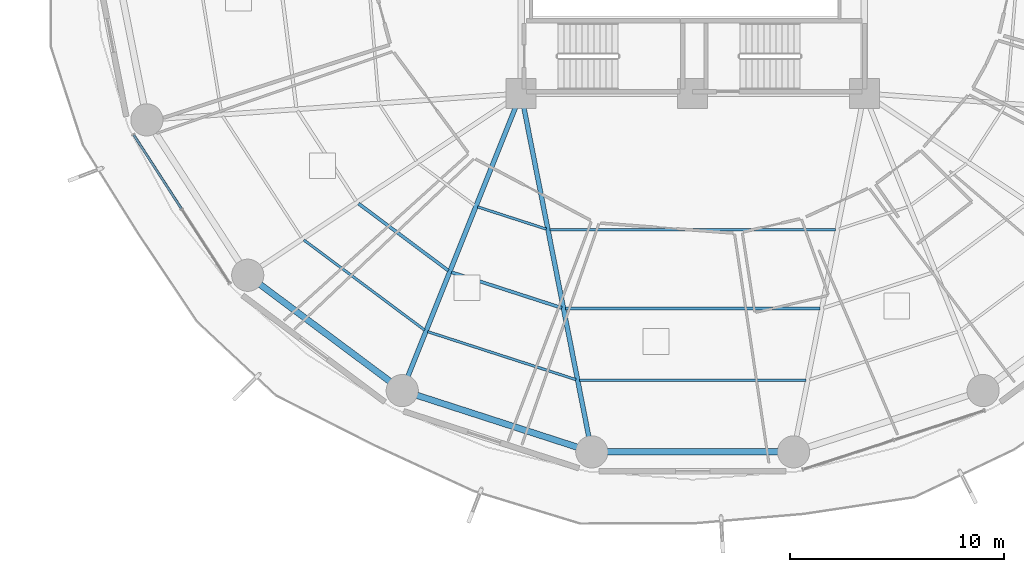
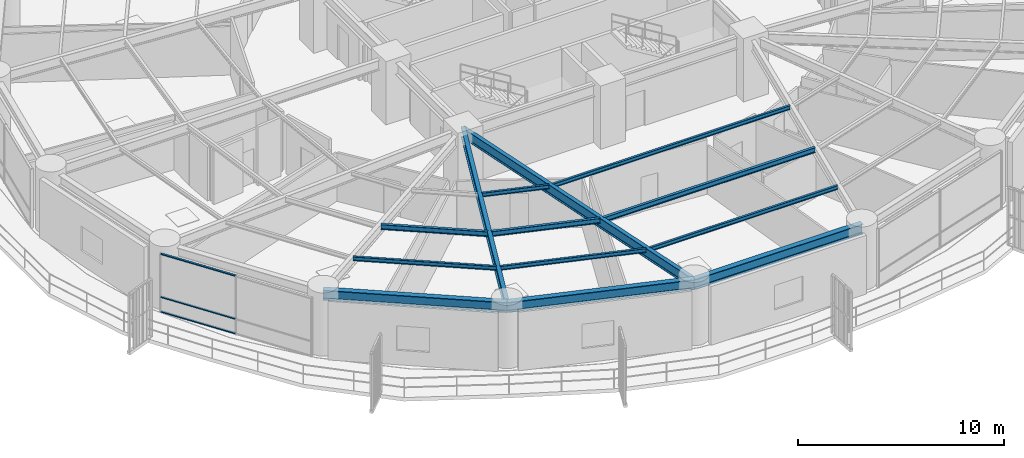
# One storey, part 3 of 32: 13 beams, 3 members, 1 element without a shape of its own.
"""IFC4 building model written with IfcOpenShell, lengths in metres."""

from ifc_helpers import new_model, si_unit, direction, frame, origin, origin_2d, place, context, subcontext, project, spatial, hollow_rectangle, i_section, extrude, material, layer, layer_set, material_profile, profile_set, type_object, element, aggregate, save


model = new_model("IFC4")

# Units and contexts
model_context = context("Model", 3, precision=1e-05, world=origin(), true_north=direction((0.0, 1.0)))
body_context = subcontext(model_context, "Body", "Model", "MODEL_VIEW")
ifc_project = project(units=[si_unit("LENGTHUNIT", "METRE"), si_unit("AREAUNIT", "SQUARE_METRE"), si_unit("VOLUMEUNIT", "CUBIC_METRE"), si_unit("PLANEANGLEUNIT", "RADIAN"), si_unit("MASSUNIT", "GRAM", prefix="KILO")], contexts=[model_context])

# Site, building, storey
site_placement = place(None, origin())
site = spatial("IfcSite", under=ifc_project, at=site_placement, CompositionType="ELEMENT")
building_placement = place(site_placement, origin())
building = spatial("IfcBuilding", under=site, at=building_placement, Name="Kelanora Arch Commons", CompositionType="ELEMENT")
storey_placement = place(building_placement, frame((0.0, 0.0, 60.0)))
storey = spatial("IfcBuildingStorey", under=building, at=storey_placement, Name="L15", CompositionType="ELEMENT", Elevation=60.0)

# Beams
ifc_material_1 = material(Name="Steel S355", Category="steel")
ifc_material_profile_1 = material_profile(ifc_material_1, i_section(OverallWidth=0.14990234375, OverallDepth=0.300048828125, WebThickness=0.007080078125, FlangeThickness=0.0107421875, FilletRadius=0.014892578125, at=origin_2d()), Name="IPE300")
ifc_profile_set_1 = profile_set([ifc_material_profile_1], Name="Steel S355")
beam_type_1 = type_object("IfcBeamType", Name="BM-JST-01", PredefinedType="JOIST", material=ifc_profile_set_1)
beam_1_placement = place(storey_placement, frame((58.42138671875, 45.8623046875, 3.340087890625), z_axis=(0.801478251559, -0.598023922831, 0.0), x_axis=(0.598023922831, 0.801478251559, 0.0)))
element("IfcBeam", 1, at=beam_1_placement, inside=storey, type_object=beam_type_1, Name="Secondary Chord Joist BJB-22 L15", PredefinedType="JOIST", context=body_context, shape_type="SweptSolid", body=[
    extrude(i_section(OverallWidth=0.14990234375, OverallDepth=0.300048828125, WebThickness=0.007080078125, FlangeThickness=0.0107421875, FilletRadius=0.014892578125, at=origin_2d()), origin(), (0.0, 0.0, 1.0), 5.223388671875),
])
beam_2_placement = place(storey_placement, frame((62.7568359375, 42.66162109375, 3.340087890625), z_axis=(0.951412209627, -0.307920131482, 0.0), x_axis=(0.307920131482, 0.951412209627, 0.0)))
element("IfcBeam", 2, at=beam_2_placement, inside=storey, type_object=beam_type_1, Name="Secondary Chord Joist BJB-24 L15", PredefinedType="JOIST", context=body_context, shape_type="SweptSolid", body=[
    extrude(i_section(OverallWidth=0.14990234375, OverallDepth=0.300048828125, WebThickness=0.007080078125, FlangeThickness=0.0107421875, FilletRadius=0.014892578125, at=origin_2d()), origin(), (0.0, 0.0, 1.0), 5.4033203125),
])
beam_3_placement = place(storey_placement, frame((68.063720703125, 40.971435546875, 3.340087890625), z_axis=(1.0, 0.0, 0.0), x_axis=(0.0, 1.0, 0.0)))
element("IfcBeam", 3, at=beam_3_placement, inside=storey, type_object=beam_type_1, Name="Secondary Chord Joist BJB-26 L15", PredefinedType="JOIST", context=body_context, shape_type="SweptSolid", body=[
    extrude(i_section(OverallWidth=0.14990234375, OverallDepth=0.300048828125, WebThickness=0.007080078125, FlangeThickness=0.0107421875, FilletRadius=0.014892578125, at=origin_2d()), origin(), (0.0, 0.0, 1.0), 11.87255859375),
])
ifc_material_profile_2 = material_profile(ifc_material_1, i_section(OverallWidth=0.1201171875, OverallDepth=0.239990234375, WebThickness=0.006103515625, FlangeThickness=0.009765625, FilletRadius=0.014892578125, at=origin_2d()), Name="IPE240")
ifc_profile_set_2 = profile_set([ifc_material_profile_2], Name="Steel S355")
beam_type_2 = type_object("IfcBeamType", Name="BM-JST-02", PredefinedType="JOIST", material=ifc_profile_set_2)
beam_4_placement = place(storey_placement, frame((55.87255859375, 44.16650390625, 3.3701171875), z_axis=(0.80149131963, -0.598006408459, 0.0), x_axis=(0.598006408459, 0.80149131963, 0.0)))
element("IfcBeam", 4, at=beam_4_placement, inside=storey, type_object=beam_type_2, Name="Secondary Chord Joist BJC-22 L15", PredefinedType="JOIST", context=body_context, shape_type="SweptSolid", body=[
    extrude(i_section(OverallWidth=0.1201171875, OverallDepth=0.239990234375, WebThickness=0.006103515625, FlangeThickness=0.009765625, FilletRadius=0.014892578125, at=origin_2d()), origin(), (0.0, 0.0, 1.0), 7.021240234375),
])
beam_5_placement = place(storey_placement, frame((63.9755859375, 45.709228515625, 3.3701171875), z_axis=(0.951422608074, -0.30788800049, 0.0), x_axis=(0.30788800049, 0.951422608074, 0.0)))
element("IfcBeam", 5, at=beam_5_placement, inside=storey, type_object=beam_type_2, Name="Secondary Chord Joist BJA-24 L15", PredefinedType="JOIST", context=body_context, shape_type="SweptSolid", body=[
    extrude(i_section(OverallWidth=0.1201171875, OverallDepth=0.239990234375, WebThickness=0.006103515625, FlangeThickness=0.009765625, FilletRadius=0.014892578125, at=origin_2d()), origin(), (0.0, 0.0, 1.0), 3.359619140625),
])
beam_6_placement = place(storey_placement, frame((61.64892578125, 39.890625, 3.3701171875), z_axis=(0.951410915705, -0.307924129418, 0.0), x_axis=(0.307924129418, 0.951410915705, 0.0)))
element("IfcBeam", 6, at=beam_6_placement, inside=storey, type_object=beam_type_2, Name="Secondary Chord Joist BJC-24 L15", PredefinedType="JOIST", context=body_context, shape_type="SweptSolid", body=[
    extrude(i_section(OverallWidth=0.1201171875, OverallDepth=0.239990234375, WebThickness=0.006103515625, FlangeThickness=0.009765625, FilletRadius=0.014892578125, at=origin_2d()), origin(), (0.0, 0.0, 1.0), 7.260986328125),
])
beam_7_placement = place(storey_placement, frame((67.338134765625, 44.648681640625, 3.3701171875), z_axis=(1.0, 0.0, 0.0), x_axis=(0.0, 1.0, 0.0)))
element("IfcBeam", 7, at=beam_7_placement, inside=storey, type_object=beam_type_2, Name="Secondary Chord Joist BJA-26 L15", PredefinedType="JOIST", context=body_context, shape_type="SweptSolid", body=[
    extrude(i_section(OverallWidth=0.1201171875, OverallDepth=0.239990234375, WebThickness=0.006103515625, FlangeThickness=0.009765625, FilletRadius=0.014892578125, at=origin_2d()), origin(), (0.0, 0.0, 1.0), 13.32373046875),
])
beam_8_placement = place(storey_placement, frame((68.72314453125, 37.628662109375, 3.3701171875), z_axis=(1.0, 0.0, 0.0), x_axis=(0.0, 1.0, 0.0)))
element("IfcBeam", 8, at=beam_8_placement, inside=storey, type_object=beam_type_2, Name="Secondary Chord Joist BJC-26 L15", PredefinedType="JOIST", context=body_context, shape_type="SweptSolid", body=[
    extrude(i_section(OverallWidth=0.1201171875, OverallDepth=0.239990234375, WebThickness=0.006103515625, FlangeThickness=0.009765625, FilletRadius=0.014892578125, at=origin_2d()), origin(), (0.0, 0.0, 1.0), 10.5537109375),
])
ifc_material_profile_3 = material_profile(ifc_material_1, i_section(OverallWidth=0.219970703125, OverallDepth=0.60009765625, WebThickness=0.011962890625, FlangeThickness=0.01904296875, FilletRadius=0.02392578125, at=origin_2d()), Name="IPE600")
ifc_profile_set_3 = profile_set([ifc_material_profile_3], Name="Steel S355")
beam_type_3 = type_object("IfcBeamType", Name="BM-RAD-Z1", PredefinedType="BEAM", material=ifc_profile_set_3)
beam_9_placement = place(storey_placement, frame((66.0, 51.0, 3.18994140625), z_axis=(-0.371300398117, -0.928512797089, 0.0), x_axis=(0.928512797089, -0.371300398117, 0.0)))
element("IfcBeam", 9, at=beam_9_placement, inside=storey, type_object=beam_type_3, Name="Radial Floor Girder BR-24 L15", PredefinedType="BEAM", context=body_context, shape_type="SweptSolid", body=[
    extrude(i_section(OverallWidth=0.219970703125, OverallDepth=0.60009765625, WebThickness=0.011962890625, FlangeThickness=0.01904296875, FilletRadius=0.02392578125, at=origin_2d()), origin(), (0.0, 0.0, 1.0), 14.920654296875),
])
beam_10_placement = place(storey_placement, frame((66.0, 51.0, 3.18994140625), z_axis=(0.19356352044, -0.981087745084, 0.0), x_axis=(0.981087745084, 0.19356352044, 0.0)))
element("IfcBeam", 10, at=beam_10_placement, inside=storey, type_object=beam_type_3, Name="Radial Floor Girder BR-26 L15", PredefinedType="BEAM", context=body_context, shape_type="SweptSolid", body=[
    extrude(i_section(OverallWidth=0.219970703125, OverallDepth=0.60009765625, WebThickness=0.011962890625, FlangeThickness=0.01904296875, FilletRadius=0.02392578125, at=origin_2d()), origin(), (0.0, 0.0, 1.0), 17.036376953125),
])
ifc_material_profile_4 = material_profile(ifc_material_1, i_section(OverallWidth=0.300048828125, OverallDepth=0.60009765625, WebThickness=0.015380859375, FlangeThickness=0.030029296875, FilletRadius=0.027099609375, at=origin_2d()), Name="HEB600")
ifc_profile_set_4 = profile_set([ifc_material_profile_4], Name="Steel S355")
beam_type_4 = type_object("IfcBeamType", Name="BM-SPN-Z1", PredefinedType="SPANDREL", material=ifc_profile_set_4)
beam_11_placement = place(storey_placement, frame((53.255615234375, 42.521728515625, 3.18994140625), z_axis=(0.801467504127, -0.598038326388, 0.0), x_axis=(0.598038326388, 0.801467504127, 0.0)))
element("IfcBeam", 11, at=beam_11_placement, inside=storey, type_object=beam_type_4, Name="Perimeter Spandrel Beam BS-22 L15", PredefinedType="SPANDREL", context=body_context, shape_type="SweptSolid", body=[
    extrude(i_section(OverallWidth=0.300048828125, OverallDepth=0.60009765625, WebThickness=0.015380859375, FlangeThickness=0.030029296875, FilletRadius=0.027099609375, at=origin_2d()), origin(), (0.0, 0.0, 1.0), 8.989013671875),
])
beam_12_placement = place(storey_placement, frame((60.4599609375, 37.14599609375, 3.18994140625), z_axis=(0.951417120402, -0.307904957748, 0.0), x_axis=(0.307904957748, 0.951417120402, 0.0)))
element("IfcBeam", 12, at=beam_12_placement, inside=storey, type_object=beam_type_4, Name="Perimeter Spandrel Beam BS-24 L15", PredefinedType="SPANDREL", context=body_context, shape_type="SweptSolid", body=[
    extrude(i_section(OverallWidth=0.300048828125, OverallDepth=0.60009765625, WebThickness=0.015380859375, FlangeThickness=0.030029296875, FilletRadius=0.027099609375, at=origin_2d()), origin(), (0.0, 0.0, 1.0), 9.288818359375),
])
beam_13_placement = place(storey_placement, frame((69.297607421875, 34.285888671875, 3.18994140625), z_axis=(1.0, 0.0, 0.0), x_axis=(0.0, 1.0, 0.0)))
element("IfcBeam", 13, at=beam_13_placement, inside=storey, type_object=beam_type_4, Name="Perimeter Spandrel Beam BS-26 L15", PredefinedType="SPANDREL", context=body_context, shape_type="SweptSolid", body=[
    extrude(i_section(OverallWidth=0.300048828125, OverallDepth=0.60009765625, WebThickness=0.015380859375, FlangeThickness=0.030029296875, FilletRadius=0.027099609375, at=origin_2d()), origin(), (0.0, 0.0, 1.0), 9.40478515625),
])

# Curtain wall, members
ifc_material_2 = material(Name="Terracotta ceramic-fritted low-E glass and aluminium", Category="masonry")
ifc_layer = layer(ifc_material_2, 0.159912109375)
ifc_layer_set = layer_set([ifc_layer], Name="Terracotta ceramic-fritted low-E glass and aluminium")
curtain_wall_type = type_object("IfcCurtainWallType", Name="CW-SYS-01", PredefinedType="NOTDEFINED", material=ifc_layer_set)
curtain_wall_placement = place(storey_placement, origin())
curtain_wall = element("IfcCurtainWall", 14, at=curtain_wall_placement, inside=storey, type_object=curtain_wall_type, Name="Unitised Curtain Wall L15-B10", PredefinedType="NOTDEFINED")
ifc_material_3 = material(Name="Powder-coated aluminium terracotta", Category="masonry")
ifc_material_profile_5 = material_profile(ifc_material_3, hollow_rectangle(XDim=0.1201171875, YDim=0.06005859375, WallThickness=0.0048828125, InnerFilletRadius=0.0048828125, OuterFilletRadius=0.010009765625, at=origin_2d()), Name="CWT120x60")
ifc_profile_set_5 = profile_set([ifc_material_profile_5], Name="Powder-coated aluminium terracotta")
member_type = type_object("IfcMemberType", Name="CWT-STD", PredefinedType="USERDEFINED", material=ifc_profile_set_5)
member_1_placement = place(storey_placement, frame((47.944091796875, 49.054443359375, 0.030029296875), z_axis=(0.542997414293, -0.839734367566, 0.0), x_axis=(0.839734367566, 0.542997414293, 0.0)))
member_1 = element("IfcMember", 15, at=member_1_placement, type_object=member_type, Name="CW-01 transom 1.1", ObjectType="TRANSOM", PredefinedType="USERDEFINED", context=body_context, shape_type="SweptSolid", body=[
    extrude(hollow_rectangle(XDim=0.1201171875, YDim=0.06005859375, WallThickness=0.0048828125, InnerFilletRadius=0.0048828125, OuterFilletRadius=0.010009765625, at=origin_2d()), origin(), (0.0, 0.0, 1.0), 4.067626953125),
])
member_2_placement = place(storey_placement, frame((47.944091796875, 49.054443359375, 0.89990234375), z_axis=(0.542997414293, -0.839734367566, 0.0), x_axis=(0.839734367566, 0.542997414293, 0.0)))
member_2 = element("IfcMember", 16, at=member_2_placement, type_object=member_type, Name="CW-01 transom 1.2", ObjectType="TRANSOM", PredefinedType="USERDEFINED", context=body_context, shape_type="SweptSolid", body=[
    extrude(hollow_rectangle(XDim=0.1201171875, YDim=0.06005859375, WallThickness=0.0048828125, InnerFilletRadius=0.0048828125, OuterFilletRadius=0.010009765625, at=origin_2d()), origin(), (0.0, 0.0, 1.0), 4.067626953125),
])
member_3_placement = place(storey_placement, frame((47.944091796875, 49.054443359375, 3.445068359375), z_axis=(0.542997414293, -0.839734367566, 0.0), x_axis=(0.839734367566, 0.542997414293, 0.0)))
member_3 = element("IfcMember", 17, at=member_3_placement, type_object=member_type, Name="CW-01 transom 1.3", ObjectType="TRANSOM", PredefinedType="USERDEFINED", context=body_context, shape_type="SweptSolid", body=[
    extrude(hollow_rectangle(XDim=0.1201171875, YDim=0.06005859375, WallThickness=0.0048828125, InnerFilletRadius=0.0048828125, OuterFilletRadius=0.010009765625, at=origin_2d()), origin(), (0.0, 0.0, 1.0), 4.067626953125),
])
aggregate(curtain_wall, [member_1, member_2, member_3])

save(model, "model.ifc")
